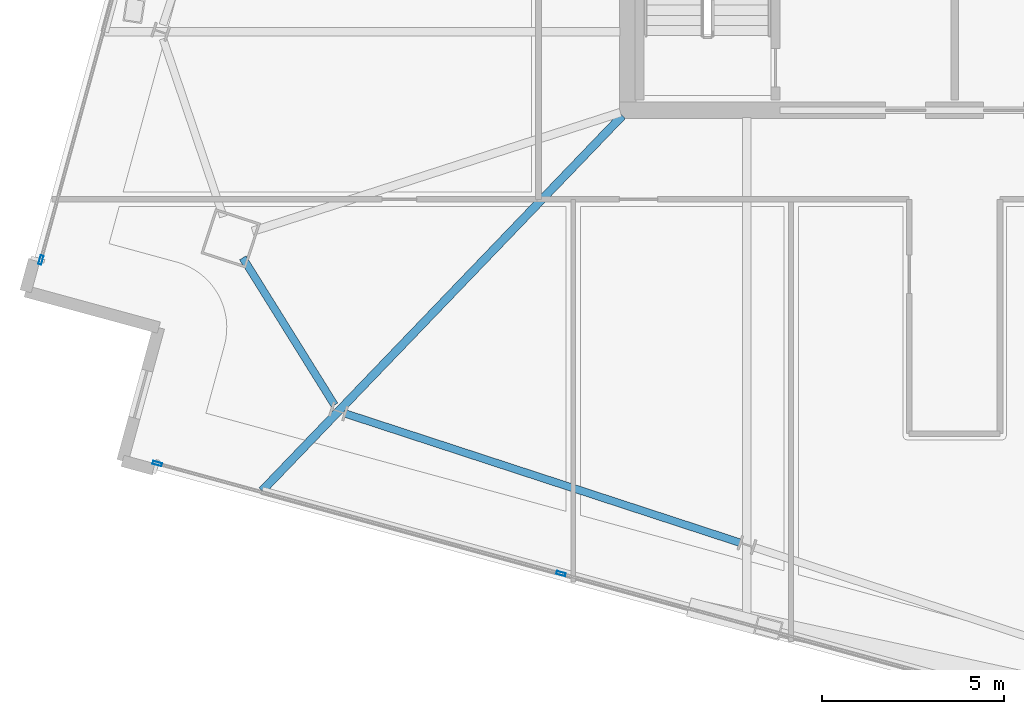
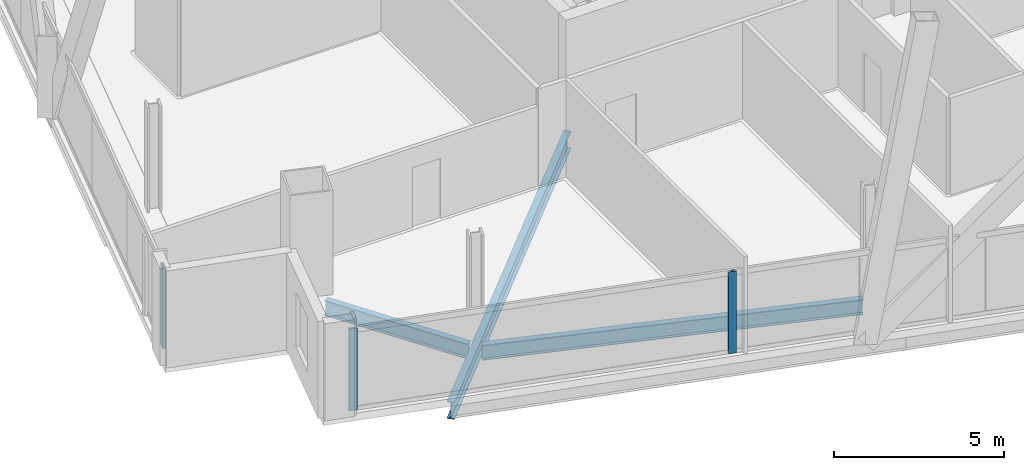
# One storey, part 2 of 26: 3 beams, 3 members, 2 elements without a shape of their own.
"""IFC4 building model written with IfcOpenShell, lengths in metres."""

from ifc_helpers import new_model, si_unit, direction, frame, origin, origin_2d, place, context, subcontext, project, spatial, hollow_rectangle, i_section, extrude, material, material_profile, profile_set, type_object, element, aggregate, save


model = new_model("IFC4")

# Units and contexts
model_context = context("Model", 3, precision=1e-05, world=origin(), true_north=direction((0.0, 1.0)))
body_context = subcontext(model_context, "Body", "Model", "MODEL_VIEW")
ifc_project = project(units=[si_unit("LENGTHUNIT", "METRE"), si_unit("AREAUNIT", "SQUARE_METRE"), si_unit("VOLUMEUNIT", "CUBIC_METRE"), si_unit("PLANEANGLEUNIT", "RADIAN"), si_unit("MASSUNIT", "GRAM", prefix="KILO")], contexts=[model_context])

# Site, building, storey
site_placement = place(None, origin())
site = spatial("IfcSite", under=ifc_project, at=site_placement, CompositionType="ELEMENT")
building_placement = place(site_placement, origin())
building = spatial("IfcBuilding", under=site, at=building_placement, Name="Haldenkirk Collegiate Tower", CompositionType="ELEMENT")
storey_placement = place(building_placement, frame((0.0, 0.0, 278.699951171875)))
storey = spatial("IfcBuildingStorey", under=building, at=storey_placement, Name="L70", CompositionType="ELEMENT", Elevation=278.699951171875)

# Beams
ifc_material_1 = material(Name="Steel ASTM A992 Grade 50", Category="steel")
ifc_material_profile_1 = material_profile(ifc_material_1, i_section(OverallWidth=0.22998046875, OverallDepth=0.616943359375, WebThickness=0.01318359375, FlangeThickness=0.022216796875, at=origin_2d()), Name="W24X94")
ifc_profile_set_1 = profile_set([ifc_material_profile_1], Name="Steel ASTM A992 Grade 50")
beam_type_1 = type_object("IfcBeamType", Name="BM-GIRDER-W24X94", PredefinedType="BEAM", material=ifc_profile_set_1)
beam_1_placement = place(storey_placement, frame((16.9443359375, 7.531982421875, -0.578369140625), z_axis=(0.692752685388, 0.721175233136, 0.0), x_axis=(-0.721175233136, 0.692752685388, 0.0)))
element("IfcBeam", 1, at=beam_1_placement, inside=storey, type_object=beam_type_1, Name="L70 primary floor girder 14", PredefinedType="BEAM", context=body_context, shape_type="SweptSolid", body=[
    extrude(i_section(OverallWidth=0.22998046875, OverallDepth=0.616943359375, WebThickness=0.01318359375, FlangeThickness=0.022216796875, at=origin_2d()), origin(), (0.0, 0.0, 1.0), 14.310302734375),
])
ifc_material_profile_2 = material_profile(ifc_material_1, i_section(OverallWidth=0.2099609375, OverallDepth=0.537109375, WebThickness=0.010986328125, FlangeThickness=0.017333984375, at=origin_2d()), Name="W21X68")
ifc_profile_set_2 = profile_set([ifc_material_profile_2], Name="Steel ASTM A992 Grade 50")
beam_type_2 = type_object("IfcBeamType", Name="BM-SPANDREL-W21X68", PredefinedType="SPANDREL", material=ifc_profile_set_2)
beam_2_placement = place(storey_placement, frame((16.41064453125, 13.939697265625, -0.538330078125), z_axis=(0.528899826427, -0.848684260255, 0.0), x_axis=(0.848684260255, 0.528899826427, 0.0)))
element("IfcBeam", 2, at=beam_2_placement, inside=storey, type_object=beam_type_2, Name="L70 perimeter spandrel beam 13", PredefinedType="SPANDREL", context=body_context, shape_type="SweptSolid", body=[
    extrude(i_section(OverallWidth=0.2099609375, OverallDepth=0.537109375, WebThickness=0.010986328125, FlangeThickness=0.017333984375, at=origin_2d()), origin(), (0.0, 0.0, 1.0), 4.77392578125),
])
beam_3_placement = place(storey_placement, frame((19.235107421875, 9.6533203125, -0.538330078125), z_axis=(0.950408846531, -0.311003254701, 0.0), x_axis=(0.311003254701, 0.950408846531, 0.0)))
element("IfcBeam", 3, at=beam_3_placement, inside=storey, type_object=beam_type_2, Name="L70 perimeter spandrel beam 14", PredefinedType="SPANDREL", context=body_context, shape_type="SweptSolid", body=[
    extrude(i_section(OverallWidth=0.2099609375, OverallDepth=0.537109375, WebThickness=0.010986328125, FlangeThickness=0.017333984375, at=origin_2d()), origin(), (0.0, 0.0, 1.0), 11.421875),
])

# Curtain wall, member
ifc_material_2 = material(Name="Anodised architectural bronze aluminium", Category="aluminium")
curtain_wall_type = type_object("IfcCurtainWallType", Name="CW-SYS1B-CONVEX-HI", PredefinedType="USERDEFINED", material=ifc_material_2)
curtain_wall_1_placement = place(storey_placement, origin())
curtain_wall_1 = element("IfcCurtainWall", 4, at=curtain_wall_1_placement, inside=storey, type_object=curtain_wall_type, Name="L70 Upper tower high-wind convex bronze unitised curtain wall", ObjectType="UNITISED CURTAIN WALL", PredefinedType="USERDEFINED")
ifc_material_profile_3 = material_profile(ifc_material_2, hollow_rectangle(XDim=0.0849609375, YDim=0.25, WallThickness=0.0048828125, at=origin_2d()), Name="CW-MUL-1B")
ifc_profile_set_3 = profile_set([ifc_material_profile_3], Name="Anodised architectural bronze aluminium")
member_type = type_object("IfcMemberType", Name="CW-MUL-1B", PredefinedType="MULLION", material=ifc_profile_set_3)
member_1_placement = place(storey_placement, frame((10.8564453125, 13.87939453125, 0.0), z_axis=(0.0, 0.0, 1.0), x_axis=(-0.964786957297, 0.263032558878, 0.0)))
member_1 = element("IfcMember", 5, at=member_1_placement, type_object=member_type, Name="CW-1B mullion 1", PredefinedType="MULLION", context=body_context, shape_type="SweptSolid", body=[
    extrude(hollow_rectangle(XDim=0.0849609375, YDim=0.25, WallThickness=0.0048828125, at=origin_2d()), origin(), (0.0, 0.0, 1.0), 2.93798828125),
])
aggregate(curtain_wall_1, [member_1])

# Curtain wall, members
curtain_wall_2_placement = place(storey_placement, origin())
curtain_wall_2 = element("IfcCurtainWall", 6, at=curtain_wall_2_placement, inside=storey, type_object=curtain_wall_type, Name="L70 Upper tower high-wind convex bronze unitised curtain wall", ObjectType="UNITISED CURTAIN WALL", PredefinedType="USERDEFINED")
member_2_placement = place(storey_placement, frame((25.16845703125, 5.248291015625, 0.0), z_axis=(0.0, 0.0, 1.0), x_axis=(-0.263031020173, -0.964787376797, 0.0)))
member_2 = element("IfcMember", 7, at=member_2_placement, type_object=member_type, Name="CW-1B mullion 3", PredefinedType="MULLION", context=body_context, shape_type="SweptSolid", body=[
    extrude(hollow_rectangle(XDim=0.0849609375, YDim=0.25, WallThickness=0.0048828125, at=origin_2d()), origin(), (0.0, 0.0, 1.0), 2.93798828125),
])
member_3_placement = place(storey_placement, frame((14.05810546875, 8.27734375, 0.0), z_axis=(0.0, 0.0, 1.0), x_axis=(-0.263031020173, -0.964787376797, 0.0)))
member_3 = element("IfcMember", 8, at=member_3_placement, type_object=member_type, Name="CW-1B mullion 4", PredefinedType="MULLION", context=body_context, shape_type="SweptSolid", body=[
    extrude(hollow_rectangle(XDim=0.0849609375, YDim=0.25, WallThickness=0.0048828125, at=origin_2d()), origin(), (0.0, 0.0, 1.0), 2.93798828125),
])
aggregate(curtain_wall_2, [member_2, member_3])

save(model, "model.ifc")
